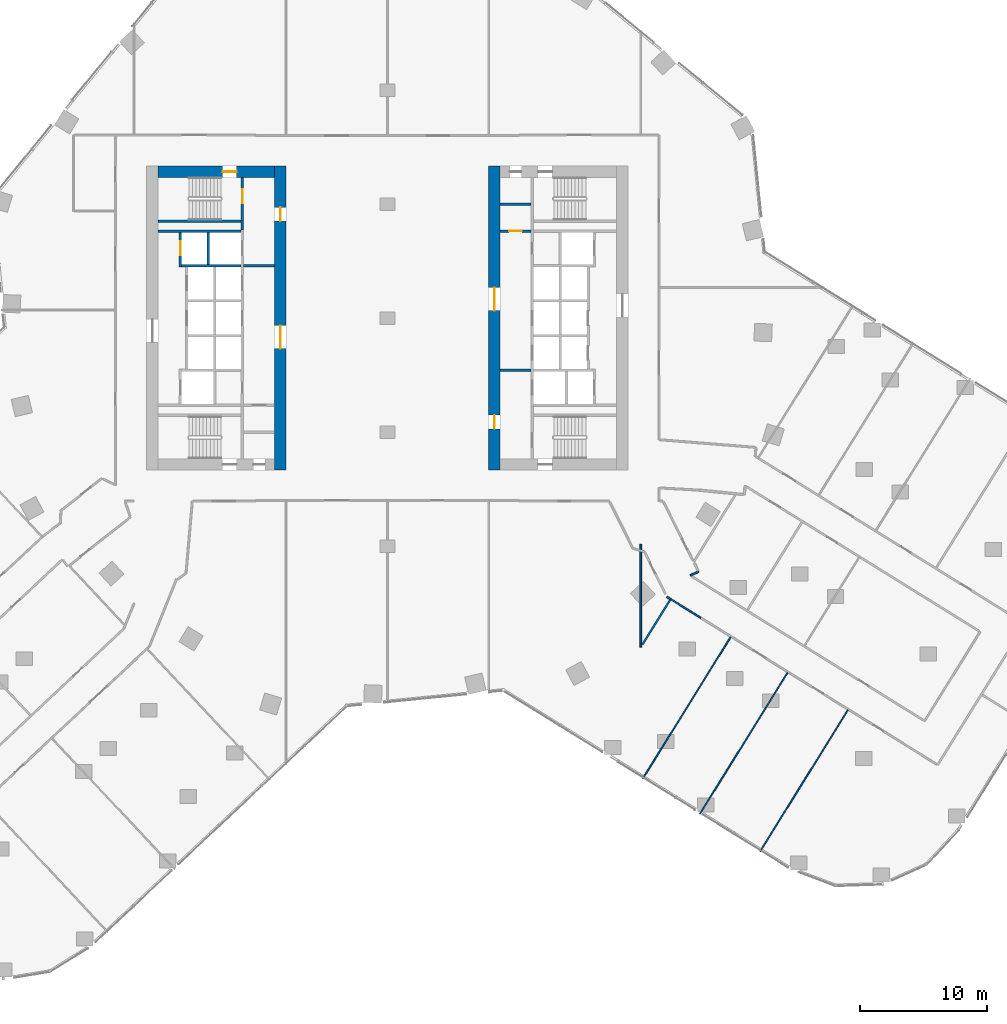
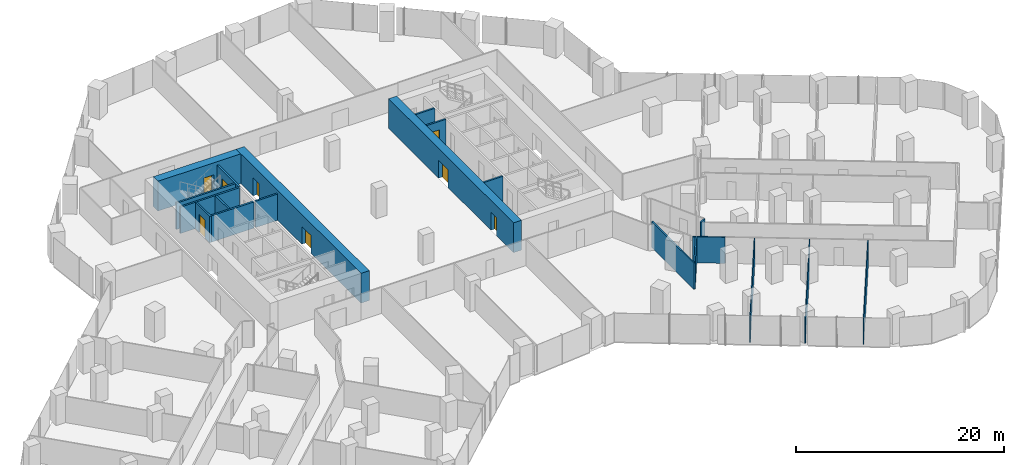
# One storey, part 29 of 34: 21 walls, 8 doors, 8 openings.
"""IFC4 building model written with IfcOpenShell, lengths in metres."""

from ifc_helpers import new_model, si_unit, direction, frame, frame_2d, origin, place, context, subcontext, project, spatial, rectangle, extrude, material, layer, layer_set, type_object, element, fill, save


model = new_model("IFC4")

# Units and contexts
model_context = context("Model", 3, precision=1e-05, world=origin(), true_north=direction((0.0, 1.0)))
body_context = subcontext(model_context, "Body", "Model", "MODEL_VIEW")
ifc_project = project(units=[si_unit("LENGTHUNIT", "METRE"), si_unit("AREAUNIT", "SQUARE_METRE"), si_unit("VOLUMEUNIT", "CUBIC_METRE"), si_unit("PLANEANGLEUNIT", "RADIAN"), si_unit("MASSUNIT", "GRAM", prefix="KILO")], contexts=[model_context])

# Site, building, storey
site_placement = place(None, origin())
site = spatial("IfcSite", under=ifc_project, at=site_placement, CompositionType="ELEMENT")
building_placement = place(site_placement, origin())
building = spatial("IfcBuilding", under=site, at=building_placement, Name="Orlundy Tower", CompositionType="ELEMENT")
storey_placement = place(building_placement, frame((0.0, 0.0, 44.300048828125)))
storey = spatial("IfcBuildingStorey", under=building, at=storey_placement, Name="L09", CompositionType="ELEMENT", Elevation=44.300048828125)

# Wall, opening, door
ifc_material_1 = material(Name="Concrete C80/95", Category="concrete")
ifc_layer_1 = layer(ifc_material_1, 0.89990234375)
ifc_layer_set_1 = layer_set([ifc_layer_1], Name="CORE WALL 900 C80/95")
wall_type_1 = type_object("IfcWallType", Name="CORE WALL 900 C80/95", PredefinedType="SHEAR", material=ifc_layer_set_1)
wall_1_placement = place(storey_placement, frame((-18.10009765625, 11.550048828125, 0.0), z_axis=(0.0, 0.0, 1.0), x_axis=(1.0, 0.0, 0.0)))
wall_1 = element("IfcWall", 1, at=wall_1_placement, inside=storey, type_object=wall_type_1, Name="Core wall W-N L09", PredefinedType="SHEAR", context=body_context, shape_type="SweptSolid", body=[
    extrude(rectangle(XDim=9.2001953125, YDim=0.89990234375, at=frame_2d((4.60009765625, 0.0))), origin(), (0.0, 0.0, 1.0), 3.5),
])
opening_1_placement = place(wall_1_placement, frame((5.10009765625, 0.0, 0.0)))
opening_1 = element("IfcOpeningElement", 2, at=opening_1_placement, cuts=wall_1, Name="Opening 09012", PredefinedType="OPENING", context=body_context, shape_type="SweptSolid", body=[
    extrude(rectangle(XDim=1.10009765625, YDim=2.10009765625, at=frame_2d((0.550048828125, 1.050048828125))), frame((0.0, 0.4599609375, 0.0), z_axis=(0.0, -1.0, 0.0), x_axis=(1.0, 0.0, 0.0)), (0.0, 0.0, 1.0), 0.919921875),
])
ifc_material_2 = material(Name="Steel door set", Category="steel")
door_type_1 = type_object("IfcDoorType", Name="Stair Door 1100x2100", OperationType="SINGLE_SWING_LEFT", PredefinedType="DOOR", material=ifc_material_2)
door_1_placement = place(opening_1_placement, origin())
door_1 = element("IfcDoor", 3, at=door_1_placement, inside=storey, type_object=door_type_1, Name="Stair door 09012", OperationType="SINGLE_SWING_RIGHT", OverallHeight=2.10009765625, OverallWidth=1.10009765625, PredefinedType="DOOR", context=body_context, shape_type="SweptSolid", body=[
    extrude(rectangle(XDim=1.10009765625, YDim=2.10009765625, at=frame_2d((0.550048828125, 1.050048828125))), frame((0.0, 0.02490234375, 0.0), z_axis=(0.0, -1.0, 0.0), x_axis=(1.0, 0.0, 0.0)), (0.0, 0.0, 1.0), 0.050048828125),
])
fill(opening_1, door_1)

# Wall, openings, doors
wall_2_placement = place(storey_placement, frame((-8.449951171875, -12.0, 0.0), z_axis=(0.0, 0.0, 1.0), x_axis=(0.0, 1.0, 0.0)))
wall_2 = element("IfcWall", 4, at=wall_2_placement, inside=storey, type_object=wall_type_1, Name="Core wall W-E L09", PredefinedType="SHEAR", context=body_context, shape_type="SweptSolid", body=[
    extrude(rectangle(XDim=24.0, YDim=0.89990234375, at=frame_2d((12.0, 0.0))), origin(), (0.0, 0.0, 1.0), 3.5),
])
opening_2_placement = place(wall_2_placement, frame((9.60009765625, 0.0, 0.0)))
opening_2 = element("IfcOpeningElement", 5, at=opening_2_placement, cuts=wall_2, Name="Opening 09009", PredefinedType="OPENING", context=body_context, shape_type="SweptSolid", body=[
    extrude(rectangle(XDim=1.800048828125, YDim=2.10009765625, at=frame_2d((0.89990234375, 1.050048828125))), frame((0.0, 0.4599609375, 0.0), z_axis=(0.0, -1.0, 0.0), x_axis=(1.0, 0.0, 0.0)), (0.0, 0.0, 1.0), 0.919921875),
])
opening_3_placement = place(wall_2_placement, frame((19.64990234375, 0.0, 0.0)))
opening_3 = element("IfcOpeningElement", 6, at=opening_3_placement, cuts=wall_2, Name="Opening 09011", PredefinedType="OPENING", context=body_context, shape_type="SweptSolid", body=[
    extrude(rectangle(XDim=1.10009765625, YDim=2.10009765625, at=frame_2d((0.550048828125, 1.050048828125))), frame((0.0, 0.4599609375, 0.0), z_axis=(0.0, -1.0, 0.0), x_axis=(1.0, 0.0, 0.0)), (0.0, 0.0, 1.0), 0.919921875),
])
ifc_material_3 = material(Name="Steel door set", Category="steel")
door_type_2 = type_object("IfcDoorType", Name="Fire-fighting Lobby Door 1100x2100", OperationType="SINGLE_SWING_LEFT", PredefinedType="DOOR", material=ifc_material_3)
door_2_placement = place(opening_3_placement, origin())
door_2 = element("IfcDoor", 7, at=door_2_placement, inside=storey, type_object=door_type_2, Name="Fire-fighting lobby door 09011", OperationType="SINGLE_SWING_RIGHT", OverallHeight=2.10009765625, OverallWidth=1.10009765625, PredefinedType="DOOR", context=body_context, shape_type="SweptSolid", body=[
    extrude(rectangle(XDim=1.10009765625, YDim=2.10009765625, at=frame_2d((0.550048828125, 1.050048828125))), frame((0.0, 0.02490234375, 0.0), z_axis=(0.0, -1.0, 0.0), x_axis=(1.0, 0.0, 0.0)), (0.0, 0.0, 1.0), 0.050048828125),
])
fill(opening_3, door_2)
ifc_material_4 = material(Name="Timber door set", Category="wood")
door_type_3 = type_object("IfcDoorType", Name="Lobby Door 1800x2100", OperationType="DOUBLE_DOOR_DOUBLE_SWING", PredefinedType="DOOR", material=ifc_material_4)
door_3_placement = place(opening_2_placement, origin())
door_3 = element("IfcDoor", 8, at=door_3_placement, inside=storey, type_object=door_type_3, Name="Lift lobby door 09009", OperationType="SINGLE_SWING_LEFT", OverallHeight=2.10009765625, OverallWidth=1.800048828125, PredefinedType="DOOR", context=body_context, shape_type="SweptSolid", body=[
    extrude(rectangle(XDim=1.800048828125, YDim=2.10009765625, at=frame_2d((0.89990234375, 1.050048828125))), frame((0.0, 0.02490234375, 0.0), z_axis=(0.0, -1.0, 0.0), x_axis=(1.0, 0.0, 0.0)), (0.0, 0.0, 1.0), 0.050048828125),
])
fill(opening_2, door_3)

wall_3_placement = place(storey_placement, frame((8.449951171875, -12.0, 0.0), z_axis=(0.0, 0.0, 1.0), x_axis=(0.0, 1.0, 0.0)))
wall_3 = element("IfcWall", 9, at=wall_3_placement, inside=storey, type_object=wall_type_1, Name="Core wall E-W L09", PredefinedType="SHEAR", context=body_context, shape_type="SweptSolid", body=[
    extrude(rectangle(XDim=24.0, YDim=0.89990234375, at=frame_2d((12.0, 0.0))), origin(), (0.0, 0.0, 1.0), 3.5),
])
opening_4_placement = place(wall_3_placement, frame((12.60009765625, 0.0, 0.0)))
opening_4 = element("IfcOpeningElement", 10, at=opening_4_placement, cuts=wall_3, Name="Opening 09058", PredefinedType="OPENING", context=body_context, shape_type="SweptSolid", body=[
    extrude(rectangle(XDim=1.800048828125, YDim=2.10009765625, at=frame_2d((0.89990234375, 1.050048828125))), frame((0.0, 0.4599609375, 0.0), z_axis=(0.0, -1.0, 0.0), x_axis=(1.0, 0.0, 0.0)), (0.0, 0.0, 1.0), 0.919921875),
])
opening_5_placement = place(wall_3_placement, frame((3.25, 0.0, 0.0)))
opening_5 = element("IfcOpeningElement", 11, at=opening_5_placement, cuts=wall_3, Name="Opening 09060", PredefinedType="OPENING", context=body_context, shape_type="SweptSolid", body=[
    extrude(rectangle(XDim=1.10009765625, YDim=2.10009765625, at=frame_2d((0.550048828125, 1.050048828125))), frame((0.0, 0.4599609375, 0.0), z_axis=(0.0, -1.0, 0.0), x_axis=(1.0, 0.0, 0.0)), (0.0, 0.0, 1.0), 0.919921875),
])
door_4_placement = place(opening_5_placement, origin())
door_4 = element("IfcDoor", 12, at=door_4_placement, inside=storey, type_object=door_type_2, Name="Fire-fighting lobby door 09060", OperationType="SINGLE_SWING_LEFT", OverallHeight=2.10009765625, OverallWidth=1.10009765625, PredefinedType="DOOR", context=body_context, shape_type="SweptSolid", body=[
    extrude(rectangle(XDim=1.10009765625, YDim=2.10009765625, at=frame_2d((0.550048828125, 1.050048828125))), frame((0.0, 0.02490234375, 0.0), z_axis=(0.0, -1.0, 0.0), x_axis=(1.0, 0.0, 0.0)), (0.0, 0.0, 1.0), 0.050048828125),
])
fill(opening_5, door_4)
door_5_placement = place(opening_4_placement, origin())
door_5 = element("IfcDoor", 13, at=door_5_placement, inside=storey, type_object=door_type_3, Name="Lift lobby door 09058", OperationType="SINGLE_SWING_RIGHT", OverallHeight=2.10009765625, OverallWidth=1.800048828125, PredefinedType="DOOR", context=body_context, shape_type="SweptSolid", body=[
    extrude(rectangle(XDim=1.800048828125, YDim=2.10009765625, at=frame_2d((0.89990234375, 1.050048828125))), frame((0.0, 0.02490234375, 0.0), z_axis=(0.0, -1.0, 0.0), x_axis=(1.0, 0.0, 0.0)), (0.0, 0.0, 1.0), 0.050048828125),
])
fill(opening_4, door_5)

# Walls
ifc_material_5 = material(Name="Gypsum board partition")
ifc_layer_2 = layer(ifc_material_5, 0.10009765625)
ifc_layer_set_2 = layer_set([ifc_layer_2], Name="Floor partition 100")
wall_type_2 = type_object("IfcWallType", Name="Floor partition 100", PredefinedType="PARTITIONING", material=ifc_layer_set_2)
wall_4_placement = place(storey_placement, frame((29.4189453125, -42.09912109375, 0.0), z_axis=(0.0, 0.0, 1.0), x_axis=(0.527437340002, 0.849593933813, 0.0)))
element("IfcWall", 14, at=wall_4_placement, inside=storey, type_object=wall_type_2, Name="wall-int-L09-058", PredefinedType="PARTITIONING", context=body_context, shape_type="SweptSolid", body=[
    extrude(rectangle(XDim=13.136962890625, YDim=0.10009765625, at=frame_2d((6.568359375, 0.0))), origin(), (0.0, 0.0, 1.0), 3.06005859375),
])
wall_5_placement = place(storey_placement, frame((24.662109375, -39.14599609375, 0.0), z_axis=(0.0, 0.0, 1.0), x_axis=(0.527445667816, 0.849588763757, 0.0)))
element("IfcWall", 15, at=wall_5_placement, inside=storey, type_object=wall_type_2, Name="wall-int-L09-060", PredefinedType="PARTITIONING", context=body_context, shape_type="SweptSolid", body=[
    extrude(rectangle(XDim=13.13671875, YDim=0.10009765625, at=frame_2d((6.568359375, 0.0))), origin(), (0.0, 0.0, 1.0), 3.06005859375),
])
wall_6_placement = place(storey_placement, frame((20.158935546875, -36.35009765625, 0.0), z_axis=(0.0, 0.0, 1.0), x_axis=(0.527437340002, 0.849593933813, 0.0)))
element("IfcWall", 16, at=wall_6_placement, inside=storey, type_object=wall_type_2, Name="wall-int-L09-063", PredefinedType="PARTITIONING", context=body_context, shape_type="SweptSolid", body=[
    extrude(rectangle(XDim=13.136962890625, YDim=0.10009765625, at=frame_2d((6.568359375, 0.0))), origin(), (0.0, 0.0, 1.0), 3.06005859375),
])
ifc_material_6 = material(Name="Gypsum board partition, double layer")
ifc_layer_3 = layer(ifc_material_6, 0.125)
ifc_layer_set_3 = layer_set([ifc_layer_3], Name="Floor partition 125")
wall_type_3 = type_object("IfcWallType", Name="Floor partition 125", PredefinedType="PARTITIONING", material=ifc_layer_set_3)
wall_7_placement = place(storey_placement, frame((22.424072265625, -22.218994140625, 0.0), z_axis=(0.0, 0.0, 1.0), x_axis=(0.849454635984, -0.527661654287, 0.0)))
element("IfcWall", 17, at=wall_7_placement, inside=storey, type_object=wall_type_3, Name="wall-int-L09-019", PredefinedType="PARTITIONING", context=body_context, shape_type="SweptSolid", body=[
    extrude(rectangle(XDim=2.72509765625, YDim=0.125, at=frame_2d((1.362548828125, 0.0))), origin(), (0.0, 0.0, 1.0), 3.06005859375),
])
ifc_material_7 = material(Name="Blockwork shaft wall", Category="masonry")
ifc_layer_4 = layer(ifc_material_7, 0.14990234375)
ifc_layer_set_4 = layer_set([ifc_layer_4], Name="Floor shaft wall 150")
wall_type_4 = type_object("IfcWallType", Name="Floor shaft wall 150", PredefinedType="PARTITIONING", material=ifc_layer_set_4)
wall_8_placement = place(storey_placement, frame((22.069091796875, -22.0, 0.0), z_axis=(0.0, 0.0, 1.0), x_axis=(0.850050687586, -0.526700890956, 0.0)))
element("IfcWall", 18, at=wall_8_placement, inside=storey, type_object=wall_type_4, Name="wall-int-L09-020", PredefinedType="PARTITIONING", context=body_context, shape_type="SweptSolid", body=[
    extrude(rectangle(XDim=0.33984375, YDim=0.14990234375, at=frame_2d((0.169921875, 0.0))), origin(), (0.0, 0.0, 1.0), 3.06005859375),
])
wall_9_placement = place(storey_placement, frame((23.9140625, -20.319091796875, 0.0), z_axis=(0.0, 0.0, 1.0), x_axis=(0.894967710853, 0.4461309186, 0.0)))
element("IfcWall", 19, at=wall_9_placement, inside=storey, type_object=wall_type_4, Name="wall-int-L09-044", PredefinedType="PARTITIONING", context=body_context, shape_type="SweptSolid", body=[
    extrude(rectangle(XDim=0.721923828125, YDim=0.14990234375, at=frame_2d((0.36083984375, 0.0))), origin(), (0.0, 0.0, 1.0), 3.06005859375),
])
wall_10_placement = place(storey_placement, frame((20.132080078125, -25.764892578125, 0.0), z_axis=(0.0, 0.0, 1.0), x_axis=(0.527375821056, 0.849632122372, 0.0)))
element("IfcWall", 20, at=wall_10_placement, inside=storey, type_object=wall_type_4, Name="wall-int-L09-066", PredefinedType="PARTITIONING", context=body_context, shape_type="SweptSolid", body=[
    extrude(rectangle(XDim=4.220458984375, YDim=0.14990234375, at=frame_2d((2.1103515625, 0.0))), origin(), (0.0, 0.0, 1.0), 3.06005859375),
])
wall_11_placement = place(storey_placement, frame((20.0, -25.97705078125, 0.0), z_axis=(0.0, 0.0, 1.0), x_axis=(0.0, 1.0, 0.0)))
element("IfcWall", 21, at=wall_11_placement, inside=storey, type_object=wall_type_4, Name="wall-int-L09-076", PredefinedType="PARTITIONING", context=body_context, shape_type="SweptSolid", body=[
    extrude(rectangle(XDim=8.112060546875, YDim=0.14990234375, at=frame_2d((4.05615234375, 0.0))), origin(), (0.0, 0.0, 1.0), 3.06005859375),
])

# Wall, opening, door
ifc_material_8 = material(Name="Concrete C40/50", Category="concrete")
ifc_layer_5 = layer(ifc_material_8, 0.199951171875)
ifc_layer_set_5 = layer_set([ifc_layer_5], Name="Load-bearing Shaft Wall 200")
wall_type_5 = type_object("IfcWallType", Name="Load-bearing Shaft Wall 200", PredefinedType="SOLIDWALL", material=ifc_layer_set_5)
wall_12_placement = place(storey_placement, frame((-11.43994140625, 6.97509765625, 0.0), z_axis=(0.0, 0.0, 1.0), x_axis=(0.0, 1.0, 0.0)))
wall_12 = element("IfcWall", 22, at=wall_12_placement, inside=storey, type_object=wall_type_5, Name="Shaft wall W09-stair-end-n", PredefinedType="SOLIDWALL", context=body_context, shape_type="SweptSolid", body=[
    extrude(rectangle(XDim=4.125, YDim=0.199951171875, at=frame_2d((2.0625, 0.0))), origin(), (0.0, 0.0, 1.0), 3.079833984375),
])
opening_6_placement = place(wall_12_placement, frame((2.10009765625, 0.0, 0.0)))
opening_6 = element("IfcOpeningElement", 23, at=opening_6_placement, cuts=wall_12, Name="Opening 09014", PredefinedType="OPENING", context=body_context, shape_type="SweptSolid", body=[
    extrude(rectangle(XDim=1.10009765625, YDim=2.10009765625, at=frame_2d((0.550048828125, 1.050048828125))), frame((0.0, 0.110107421875, 0.0), z_axis=(0.0, -1.0, 0.0), x_axis=(1.0, 0.0, 0.0)), (0.0, 0.0, 1.0), 0.22021484375),
])
door_6_placement = place(opening_6_placement, origin())
door_6 = element("IfcDoor", 24, at=door_6_placement, inside=storey, type_object=door_type_2, Name="Fire-fighting lobby to stair door 09014", OperationType="SINGLE_SWING_RIGHT", OverallHeight=2.10009765625, OverallWidth=1.10009765625, PredefinedType="DOOR", context=body_context, shape_type="SweptSolid", body=[
    extrude(rectangle(XDim=1.10009765625, YDim=2.10009765625, at=frame_2d((0.550048828125, 1.050048828125))), frame((0.0, 0.02490234375, 0.0), z_axis=(0.0, -1.0, 0.0), x_axis=(1.0, 0.0, 0.0)), (0.0, 0.0, 1.0), 0.050048828125),
])
fill(opening_6, door_6)

# Walls
wall_13_placement = place(storey_placement, frame((-11.5400390625, 7.64990234375, 0.0), z_axis=(0.0, 0.0, 1.0), x_axis=(-1.0, 0.0, 0.0)))
element("IfcWall", 25, at=wall_13_placement, inside=storey, type_object=wall_type_5, Name="Shaft wall W09-stair-side-n", PredefinedType="SOLIDWALL", context=body_context, shape_type="SweptSolid", body=[
    extrude(rectangle(XDim=6.56005859375, YDim=0.199951171875, at=frame_2d((3.280029296875, 0.0))), origin(), (0.0, 0.0, 1.0), 3.079833984375),
])
ifc_material_9 = material(Name="Gypsum board partition on steel studs", Category="steel")
ifc_layer_6 = layer(ifc_material_9, 0.199951171875)
ifc_layer_set_6 = layer_set([ifc_layer_6], Name="Partition 200")
wall_type_6 = type_object("IfcWallType", Name="Partition 200", PredefinedType="PARTITIONING", material=ifc_layer_set_6)
for number, where, z_axis, x_axis, name in (
    (26, (-8.89990234375, 4.125, 0.0), (0.0, 0.0, 1.0), (-1.0, 0.0, 0.0), "Partition wall W09-lobby-n"),
    (27, (8.89990234375, -4.125, 0.0), (0.0, 0.0, 1.0), (1.0, 0.0, 0.0), "Partition wall E09-lobby-n"),
):
    element("IfcWall", number, at=place(storey_placement, frame(where, z_axis=z_axis, x_axis=x_axis)), inside=storey, type_object=wall_type_6, Name=name, PredefinedType="PARTITIONING", context=body_context, shape_type="SweptSolid", body=[
        extrude(rectangle(XDim=2.440185546875, YDim=0.199951171875, at=frame_2d((1.22021484375, 0.0))), origin(), (0.0, 0.0, 1.0), 3.079833984375),
    ])

# Wall, opening, door
wall_14_placement = place(storey_placement, frame((8.89990234375, 6.875, 0.0), z_axis=(0.0, 0.0, 1.0), x_axis=(1.0, 0.0, 0.0)))
wall_14 = element("IfcWall", 28, at=wall_14_placement, inside=storey, type_object=wall_type_6, Name="Partition wall E09-end-s", PredefinedType="PARTITIONING", context=body_context, shape_type="SweptSolid", body=[
    extrude(rectangle(XDim=2.440185546875, YDim=0.199951171875, at=frame_2d((1.22021484375, 0.0))), origin(), (0.0, 0.0, 1.0), 3.079833984375),
])
opening_7_placement = place(wall_14_placement, frame((0.719970703125, 0.0, 0.0)))
opening_7 = element("IfcOpeningElement", 29, at=opening_7_placement, cuts=wall_14, Name="Opening 09065", PredefinedType="OPENING", context=body_context, shape_type="SweptSolid", body=[
    extrude(rectangle(XDim=1.0, YDim=2.10009765625, at=frame_2d((0.5, 1.050048828125))), frame((0.0, 0.110107421875, 0.0), z_axis=(0.0, -1.0, 0.0), x_axis=(1.0, 0.0, 0.0)), (0.0, 0.0, 1.0), 0.22021484375),
])
ifc_material_10 = material(Name="Timber door set", Category="wood")
door_type_4 = type_object("IfcDoorType", Name="Accessible Door 1000x2100", OperationType="SINGLE_SWING_LEFT", PredefinedType="DOOR", material=ifc_material_10)
door_7_placement = place(opening_7_placement, origin())
door_7 = element("IfcDoor", 30, at=door_7_placement, inside=storey, type_object=door_type_4, Name="Accessible WC door 09065", OperationType="SINGLE_SWING_RIGHT", OverallHeight=2.10009765625, OverallWidth=1.0, PredefinedType="DOOR", context=body_context, shape_type="SweptSolid", body=[
    extrude(rectangle(XDim=1.0, YDim=2.10009765625, at=frame_2d((0.5, 1.050048828125))), frame((0.0, 0.02490234375, 0.0), z_axis=(0.0, -1.0, 0.0), x_axis=(1.0, 0.0, 0.0)), (0.0, 0.0, 1.0), 0.050048828125),
])
fill(opening_7, door_7)

# Walls
wall_15_placement = place(storey_placement, frame((8.89990234375, 9.0, 0.0), z_axis=(0.0, 0.0, 1.0), x_axis=(1.0, 0.0, 0.0)))
element("IfcWall", 31, at=wall_15_placement, inside=storey, type_object=wall_type_6, Name="Partition wall E09-room-s0", PredefinedType="PARTITIONING", context=body_context, shape_type="SweptSolid", body=[
    extrude(rectangle(XDim=2.440185546875, YDim=0.199951171875, at=frame_2d((1.22021484375, 0.0))), origin(), (0.0, 0.0, 1.0), 3.079833984375),
])
ifc_material_11 = material(Name="Fire-rated blockwork shaft wall", Category="masonry")
ifc_layer_7 = layer(ifc_material_11, 0.199951171875)
ifc_layer_set_7 = layer_set([ifc_layer_7], Name="Shaft Wall 200")
wall_type_7 = type_object("IfcWallType", Name="Shaft Wall 200", PredefinedType="SOLIDWALL", material=ifc_layer_set_7)
wall_16_placement = place(storey_placement, frame((-11.5400390625, 6.875, 0.0), z_axis=(0.0, 0.0, 1.0), x_axis=(-1.0, 0.0, 0.0)))
element("IfcWall", 32, at=wall_16_placement, inside=storey, type_object=wall_type_7, Name="Shaft wall W09-zone-n", PredefinedType="SOLIDWALL", context=body_context, shape_type="SweptSolid", body=[
    extrude(rectangle(XDim=6.56005859375, YDim=0.199951171875, at=frame_2d((3.280029296875, 0.0))), origin(), (0.0, 0.0, 1.0), 3.079833984375),
])
wall_17_placement = place(storey_placement, frame((-11.5400390625, 4.125, 0.0), z_axis=(0.0, 0.0, 1.0), x_axis=(-1.0, 0.0, 0.0)))
element("IfcWall", 33, at=wall_17_placement, inside=storey, type_object=wall_type_7, Name="Shaft wall W09-cross+4.125", PredefinedType="SOLIDWALL", context=body_context, shape_type="SweptSolid", body=[
    extrude(rectangle(XDim=4.699951171875, YDim=0.199951171875, at=frame_2d((2.35009765625, 0.0))), origin(), (0.0, 0.0, 1.0), 3.079833984375),
])
wall_18_placement = place(storey_placement, frame((-14.139892578125, 4.22509765625, 0.0), z_axis=(0.0, 0.0, 1.0), x_axis=(0.0, 1.0, 0.0)))
element("IfcWall", 34, at=wall_18_placement, inside=storey, type_object=wall_type_7, Name="Shaft wall W09-mid-b", PredefinedType="SOLIDWALL", context=body_context, shape_type="SweptSolid", body=[
    extrude(rectangle(XDim=2.5498046875, YDim=0.199951171875, at=frame_2d((1.27490234375, 0.0))), origin(), (0.0, 0.0, 1.0), 3.079833984375),
])

# Wall, opening, door
wall_19_placement = place(storey_placement, frame((-16.340087890625, 4.02490234375, 0.0), z_axis=(0.0, 0.0, 1.0), x_axis=(0.0, 1.0, 0.0)))
wall_19 = element("IfcWall", 35, at=wall_19_placement, inside=storey, type_object=wall_type_7, Name="Shaft wall W09-front-o-c", PredefinedType="SOLIDWALL", context=body_context, shape_type="SweptSolid", body=[
    extrude(rectangle(XDim=2.75, YDim=0.199951171875, at=frame_2d((1.375, 0.0))), origin(), (0.0, 0.0, 1.0), 3.079833984375),
])
opening_8_placement = place(wall_19_placement, frame((0.925048828125, 0.0, 0.0)))
opening_8 = element("IfcOpeningElement", 36, at=opening_8_placement, cuts=wall_19, Name="Opening 09007", PredefinedType="OPENING", context=body_context, shape_type="SweptSolid", body=[
    extrude(rectangle(XDim=1.10009765625, YDim=2.10009765625, at=frame_2d((0.550048828125, 1.050048828125))), frame((0.0, 0.110107421875, 0.0), z_axis=(0.0, -1.0, 0.0), x_axis=(1.0, 0.0, 0.0)), (0.0, 0.0, 1.0), 0.22021484375),
])
ifc_material_12 = material(Name="Steel door set", Category="steel")
door_type_5 = type_object("IfcDoorType", Name="Landing Door 1100x2100", OperationType="DOUBLE_DOOR_SLIDING", PredefinedType="DOOR", material=ifc_material_12)
door_8_placement = place(opening_8_placement, origin())
door_8 = element("IfcDoor", 37, at=door_8_placement, inside=storey, type_object=door_type_5, Name="Lift landing door LP-04 09007", OperationType="DOUBLE_DOOR_SLIDING", OverallHeight=2.10009765625, OverallWidth=1.10009765625, PredefinedType="DOOR", context=body_context, shape_type="SweptSolid", body=[
    extrude(rectangle(XDim=1.10009765625, YDim=2.10009765625, at=frame_2d((0.550048828125, 1.050048828125))), frame((0.0, 0.02490234375, 0.0), z_axis=(0.0, -1.0, 0.0), x_axis=(1.0, 0.0, 0.0)), (0.0, 0.0, 1.0), 0.050048828125),
])
fill(opening_8, door_8)

save(model, "model.ifc")
